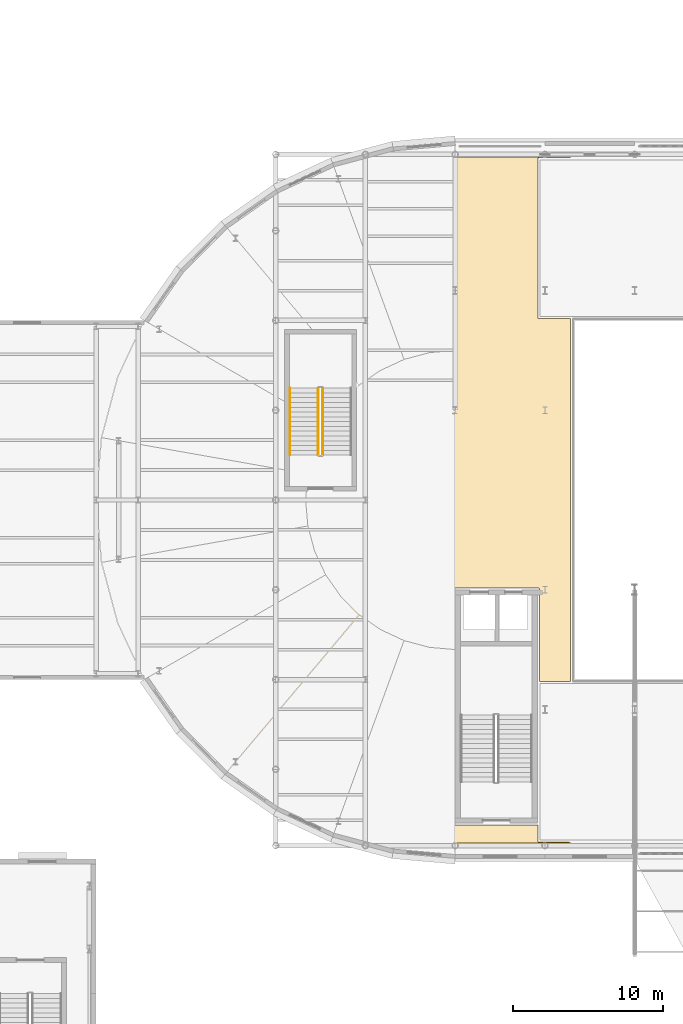
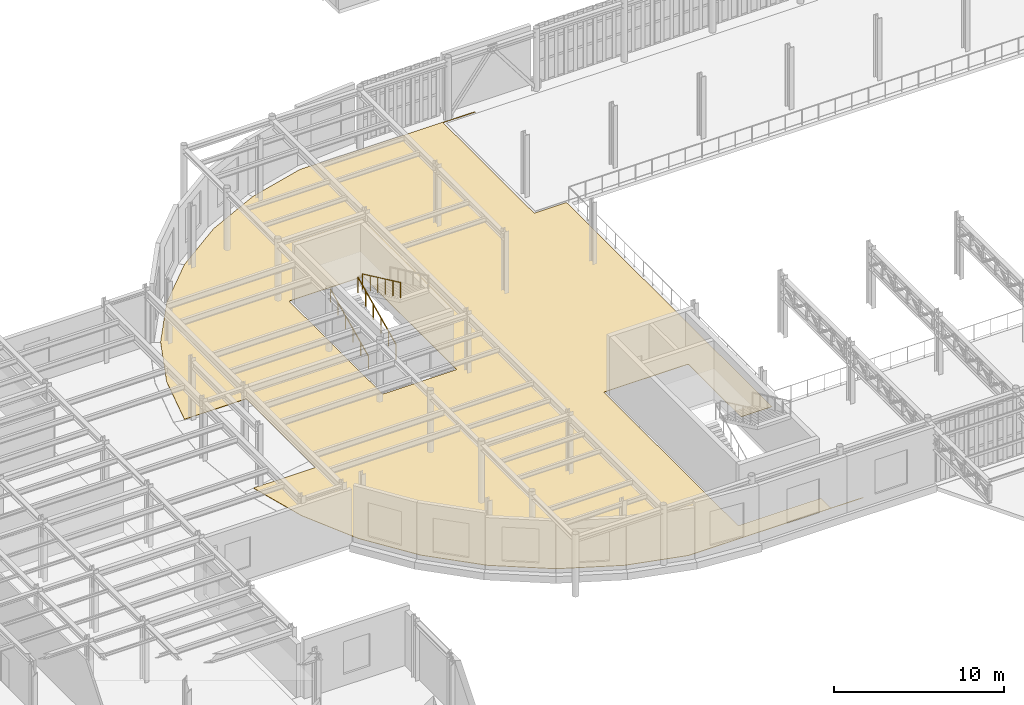
# One storey, part 79 of 91: 3 railings, 1 covering, 1 element without a shape of its own.
"""IFC4 building model written with IfcOpenShell, lengths in metres."""

from ifc_helpers import new_model, si_unit, direction, frame, origin, origin_2d, place, context, subcontext, project, spatial, polyline, circle, outline, extrude, material, layer, layer_set, type_object, element, aggregate, save


model = new_model("IFC4")

# Units and contexts
model_context = context("Model", 3, precision=1e-05, world=origin(), true_north=direction((0.0, 1.0)))
body_context = subcontext(model_context, "Body", "Model", "MODEL_VIEW")
ifc_project = project(units=[si_unit("LENGTHUNIT", "METRE"), si_unit("AREAUNIT", "SQUARE_METRE"), si_unit("VOLUMEUNIT", "CUBIC_METRE"), si_unit("PLANEANGLEUNIT", "RADIAN"), si_unit("MASSUNIT", "GRAM", prefix="KILO")], contexts=[model_context])

# Site, building, storey
site_placement = place(None, origin())
site = spatial("IfcSite", under=ifc_project, at=site_placement, CompositionType="ELEMENT")
building_placement = place(site_placement, origin())
building = spatial("IfcBuilding", under=site, at=building_placement, Name="Kolvaren Corner Interchange", CompositionType="ELEMENT")
storey_placement = place(building_placement, frame((0.0, 0.0, 6.0)))
storey = spatial("IfcBuildingStorey", under=building, at=storey_placement, Name="L02", CompositionType="ELEMENT", Elevation=6.0)

# Covering
ifc_material_1 = material(Name="Polished Niger Delta Granite Terrazzo Flooring", Category="masonry")
ifc_layer = layer(ifc_material_1, 0.030029296875)
ifc_layer_set = layer_set([ifc_layer], Name="Polished Niger Delta Granite Terrazzo Flooring")
covering_type = type_object("IfcCoveringType", Name="COV-FLR-TER30", PredefinedType="FLOORING", material=ifc_layer_set)
covering_placement = place(storey_placement, origin())
element("IfcCovering", 1, at=covering_placement, inside=storey, type_object=covering_type, Name="L02 West Curved Waiting Hall Floor Finish", PredefinedType="FLOORING", context=body_context, shape_type="SweptSolid", body=[
    extrude(outline(polyline([(37.042724609375, 43.919921875), (38.086669921875, 40.024169921875), (39.804443359375, 36.340087890625), (42.135986328125, 33.010498046875), (45.010498046875, 30.135986328125), (48.340087890625, 27.804443359375), (52.024169921875, 26.086669921875), (55.781005859375, 25.080078125), (67.719970703125, 25.080078125), (67.719970703125, 25.1201171875), (65.562255859375, 25.12939453125), (65.52001953125, 25.199951171875), (65.52001953125, 26.27001953125), (59.949951171875, 26.27001953125), (59.905517578125, 26.283447265625), (59.876220703125, 26.3193359375), (59.8701171875, 42.050048828125), (59.893310546875, 42.106689453125), (59.949951171875, 42.1298828125), (65.550048828125, 42.1298828125), (65.600830078125, 42.11181640625), (65.6298828125, 42.050048828125), (65.6298828125, 35.8798828125), (67.719970703125, 35.8798828125), (67.719970703125, 60.1201171875), (65.60009765625, 60.1201171875), (65.54931640625, 60.13818359375), (65.521484375, 60.184326171875), (65.52001953125, 70.800048828125), (65.54345703125, 70.856689453125), (65.59228515625, 70.879638671875), (67.719970703125, 70.8798828125), (67.719970703125, 70.919921875), (55.781005859375, 70.919921875), (52.024169921875, 69.913330078125), (48.340087890625, 68.195556640625), (45.010498046875, 65.864013671875), (42.135986328125, 62.989501953125), (39.804443359375, 59.659912109375), (38.086669921875, 55.975830078125), (37.053955078125, 52.080078125), (41.199951171875, 52.080078125), (41.2705078125, 52.03759765625), (41.27392578125, 43.969482421875), (41.244384765625, 43.93359375), (41.199951171875, 43.919921875), (37.042724609375, 43.919921875)]), holes=[polyline([(53.506591796875, 48.493408203125), (53.449951171875, 48.469970703125), (48.550048828125, 48.469970703125), (48.505615234375, 48.4833984375), (48.47607421875, 48.519287109375), (48.469970703125, 59.449951171875), (48.4833984375, 59.494384765625), (48.519287109375, 59.52392578125), (53.449951171875, 59.530029296875), (53.494384765625, 59.5166015625), (53.52392578125, 59.480712890625), (53.530029296875, 48.550048828125), (53.506591796875, 48.493408203125)])]), origin(), (0.0, 0.0, 1.0), 0.030029296875),
])

# Stair, railings
ifc_material_2 = material(Name="Concrete C35/45", Category="concrete")
stair_type = type_object("IfcStairType", Name="ST-GL-2000", PredefinedType="HALF_TURN_STAIR", material=ifc_material_2)
stair_placement = place(storey_placement, origin())
stair = element("IfcStair", 2, at=stair_placement, inside=storey, type_object=stair_type, Name="West Racetrack Concourse Gallery Stair L02 to L03 Stair", PredefinedType="HALF_TURN_STAIR")
ifc_material_3 = material(Name="Powder-Coated Steel Stairwell Guardrail", Category="steel")
railing_type_1 = type_object("IfcRailingType", Name="RLT-STAIR-GRD1120", PredefinedType="GUARDRAIL", material=ifc_material_3)
railing_1_placement = place(storey_placement, frame((50.85009765625, 51.0, 0.14990234375)))
railing_1 = element("IfcRailing", 3, at=railing_1_placement, type_object=railing_type_1, Name="West Racetrack Concourse Gallery Stair L02 Lower Flight Well Guardrail", PredefinedType="GUARDRAIL", context=body_context, shape_type="SweptSolid", body=[
    extrude(circle(Radius=0.02392578125, at=origin_2d()), frame((0.0, 0.0, 1.09619140625), z_axis=(0.0, 0.905450639465, 0.424451574969), x_axis=(-1.0, 0.0, 0.0)), (0.0, 0.0, 1.0), 4.94775390625),
    extrude(circle(Radius=0.02001953125, at=origin_2d()), origin(), (0.0, 0.0, 1.0), 1.072021484375),
    extrude(circle(Radius=0.02001953125, at=origin_2d()), frame((0.0, 0.89599609375, 0.419921875)), (0.0, 0.0, 1.0), 1.072021484375),
    extrude(circle(Radius=0.02001953125, at=origin_2d()), frame((0.0, 1.7919921875, 0.840087890625)), (0.0, 0.0, 1.0), 1.072021484375),
    extrude(circle(Radius=0.02001953125, at=origin_2d()), frame((0.0, 2.68798828125, 1.260009765625)), (0.0, 0.0, 1.0), 1.072021484375),
    extrude(circle(Radius=0.02001953125, at=origin_2d()), frame((0.0, 3.583984375, 1.68017578125)), (0.0, 0.0, 1.0), 1.072021484375),
    extrude(circle(Radius=0.02001953125, at=origin_2d()), frame((0.0, 4.47998046875, 2.10009765625)), (0.0, 0.0, 1.0), 1.072021484375),
])
railing_2_placement = place(storey_placement, frame((51.14990234375, 55.47998046875, 2.39990234375)))
railing_2 = element("IfcRailing", 4, at=railing_2_placement, type_object=railing_type_1, Name="West Racetrack Concourse Gallery Stair L02 Upper Flight Well Guardrail", PredefinedType="GUARDRAIL", context=body_context, shape_type="SweptSolid", body=[
    extrude(circle(Radius=0.02392578125, at=origin_2d()), frame((0.0, 0.0, 1.09619140625), z_axis=(0.0, -0.905450639465, 0.424451574969), x_axis=(1.0, 0.0, 0.0)), (0.0, 0.0, 1.0), 4.94775390625),
    extrude(circle(Radius=0.02001953125, at=origin_2d()), origin(), (0.0, 0.0, 1.0), 1.072021484375),
    extrude(circle(Radius=0.02001953125, at=origin_2d()), frame((0.0, -0.89599609375, 0.419921875)), (0.0, 0.0, 1.0), 1.072021484375),
    extrude(circle(Radius=0.02001953125, at=origin_2d()), frame((0.0, -1.7919921875, 0.840087890625)), (0.0, 0.0, 1.0), 1.072021484375),
    extrude(circle(Radius=0.02001953125, at=origin_2d()), frame((0.0, -2.68798828125, 1.260009765625)), (0.0, 0.0, 1.0), 1.072021484375),
    extrude(circle(Radius=0.02001953125, at=origin_2d()), frame((0.0, -3.583984375, 1.68017578125)), (0.0, 0.0, 1.0), 1.072021484375),
    extrude(circle(Radius=0.02001953125, at=origin_2d()), frame((0.0, -4.47998046875, 2.10009765625)), (0.0, 0.0, 1.0), 1.072021484375),
])
ifc_material_4 = material(Name="Brushed Stainless Steel Stair Handrail", Category="steel")
railing_type_2 = type_object("IfcRailingType", Name="RLT-STAIR-HR950", PredefinedType="HANDRAIL", material=ifc_material_4)
railing_3_placement = place(storey_placement, frame((48.9599609375, 51.0, 0.14990234375)))
railing_3 = element("IfcRailing", 5, at=railing_3_placement, type_object=railing_type_2, Name="West Racetrack Concourse Gallery Stair L02 Lower Flight Wall Handrail", PredefinedType="HANDRAIL", context=body_context, shape_type="SweptSolid", body=[
    extrude(circle(Radius=0.02197265625, at=origin_2d()), frame((0.0, 0.0, 0.927978515625), z_axis=(0.0, 0.905450639465, 0.424451574969), x_axis=(-1.0, 0.0, 0.0)), (0.0, 0.0, 1.0), 4.94775390625),
    extrude(circle(Radius=0.01806640625, at=origin_2d()), origin(), (0.0, 0.0, 1.0), 0.906005859375),
    extrude(circle(Radius=0.01806640625, at=origin_2d()), frame((0.0, 0.89599609375, 0.419921875)), (0.0, 0.0, 1.0), 0.906005859375),
    extrude(circle(Radius=0.01806640625, at=origin_2d()), frame((0.0, 1.7919921875, 0.840087890625)), (0.0, 0.0, 1.0), 0.906005859375),
    extrude(circle(Radius=0.01806640625, at=origin_2d()), frame((0.0, 2.68798828125, 1.260009765625)), (0.0, 0.0, 1.0), 0.906005859375),
    extrude(circle(Radius=0.01806640625, at=origin_2d()), frame((0.0, 3.583984375, 1.68017578125)), (0.0, 0.0, 1.0), 0.906005859375),
    extrude(circle(Radius=0.01806640625, at=origin_2d()), frame((0.0, 4.47998046875, 2.10009765625)), (0.0, 0.0, 1.0), 0.906005859375),
])
aggregate(stair, [railing_1, railing_2, railing_3])

save(model, "model.ifc")
